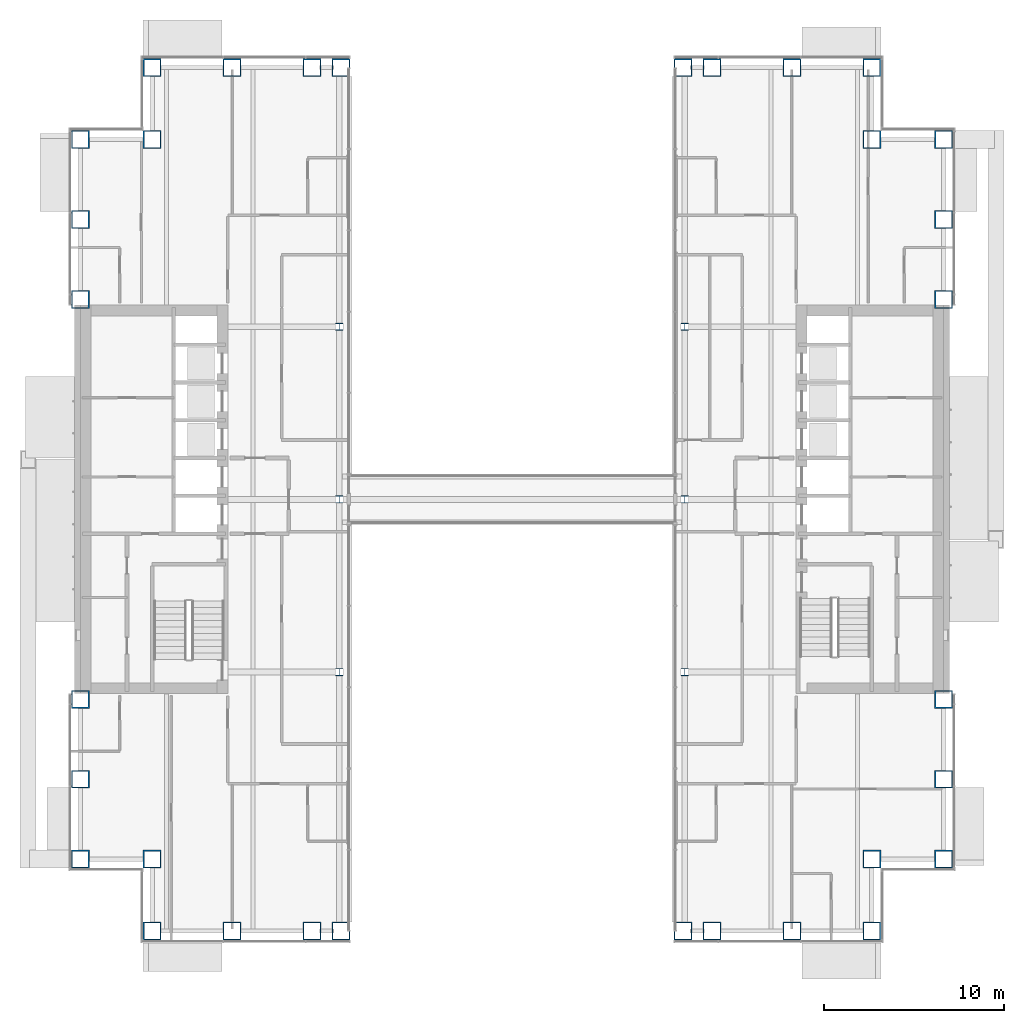
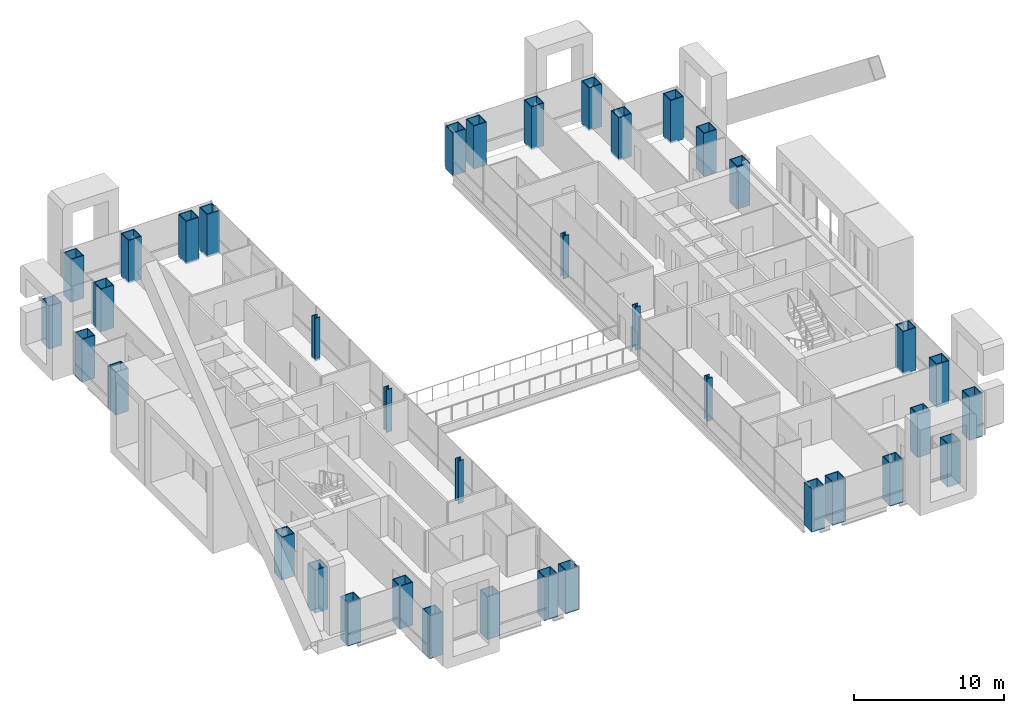
# One storey, part 1 of 26: 38 columns.
"""IFC4 building model written with IfcOpenShell, lengths in metres."""

import ifcopenshell
import ifcopenshell.guid

model = None  # the IFC model being written
_history = None  # IfcOwnerHistory: only IFC2X3 demands one
_inside = {}  # id of a spatial element -> (the spatial element, [elements in it])
_under = {}  # id of a project, library or spatial element -> (it, [spatial elements below it])
_declared = {}  # id of a project -> (the project, [libraries it declares])
_typed = {}  # id of a type object -> (the type object, [elements of that type])
_made_of = {}  # id of a material, layer set ... -> (it, [elements and type objects made of it])


def new_model(schema):
    """Start an empty IFC model of exactly this schema.

    Asked for "IFC4X3", IfcOpenShell would pick the latest addendum, in which some entities
    have other attributes; the version numbers below select the first issue.
    IFC2X3 requires an IfcOwnerHistory on every rooted entity: one is made here for all.
    """
    global model, _history
    if schema == "IFC4X3":
        model = ifcopenshell.file(schema_version=(4, 3, 0, 0))
    else:
        model = ifcopenshell.file(schema=schema)
    _inside.clear()
    _under.clear()
    _declared.clear()
    _typed.clear()
    _made_of.clear()
    _history = None
    if model.schema == "IFC2X3":
        org = make("IfcOrganization", Name="unknown")
        user = make(
            "IfcPersonAndOrganization",
            ThePerson=make("IfcPerson", FamilyName="unknown"),
            TheOrganization=org,
        )
        app = make(
            "IfcApplication",
            ApplicationDeveloper=org,
            Version="unknown",
            ApplicationFullName="unknown",
            ApplicationIdentifier="unknown",
        )
        _history = make(
            "IfcOwnerHistory",
            OwningUser=user,
            OwningApplication=app,
            ChangeAction="ADDED",
            CreationDate=0,
        )
    return model


def make(cls, **values):
    """One entity of the class cls with the attributes given. An attribute that is None is left unset."""
    return model.create_entity(
        cls, **{name: value for name, value in values.items() if value is not None}
    )


def rooted(cls, **values):
    """An entity with a GlobalId (a new one), such as an element, a storey or a relation."""
    return make(cls, GlobalId=ifcopenshell.guid.new(), OwnerHistory=_history, **values)


def si_unit(unit_type, name, prefix=None):
    """IfcSIUnit, for example si_unit("LENGTHUNIT", "METRE", prefix="MILLI")."""
    return make("IfcSIUnit", UnitType=unit_type, Prefix=prefix, Name=name)


def assignment(units):
    """IfcUnitAssignment: the units of a project."""
    return None if units is None else make("IfcUnitAssignment", Units=units)


def point(xyz):
    """IfcCartesianPoint."""
    return None if xyz is None else make("IfcCartesianPoint", Coordinates=xyz)


def direction(xyz):
    """IfcDirection."""
    return None if xyz is None else make("IfcDirection", DirectionRatios=xyz)


def frame(location, z_axis=None, x_axis=None):
    """IfcAxis2Placement3D, a coordinate frame: its origin and axes. An axis left out is left unset."""
    return make(
        "IfcAxis2Placement3D",
        Location=point(location),
        Axis=direction(z_axis),
        RefDirection=direction(x_axis),
    )


def frame_2d(location, x_axis=None):
    """IfcAxis2Placement2D, a coordinate frame in the plane: its origin and x axis."""
    return make(
        "IfcAxis2Placement2D", Location=point(location), RefDirection=direction(x_axis)
    )


def origin():
    """The frame at (0, 0, 0) with its axes left unset."""
    return frame((0.0, 0.0, 0.0))


def origin_2d():
    """The frame at (0, 0) in the plane with its x axis left unset."""
    return frame_2d((0.0, 0.0))


def place(relative_to, where):
    """IfcLocalPlacement: puts the frame where relative to a parent placement (None: the world)."""
    return make(
        "IfcLocalPlacement", PlacementRelTo=relative_to, RelativePlacement=where
    )


def context(
    kind, dimensions, precision=None, world=None, true_north=None, identifier=None
):
    """IfcGeometricRepresentationContext, for example the 3D "Model" context."""
    return make(
        "IfcGeometricRepresentationContext",
        ContextIdentifier=identifier,
        ContextType=kind,
        CoordinateSpaceDimension=dimensions,
        Precision=precision,
        WorldCoordinateSystem=world,
        TrueNorth=true_north,
    )


def subcontext(parent, identifier, kind, view, scale=None):
    """IfcGeometricRepresentationSubContext, for example "Body" below "Model"."""
    return make(
        "IfcGeometricRepresentationSubContext",
        ContextIdentifier=identifier,
        ContextType=kind,
        ParentContext=parent,
        TargetScale=scale,
        TargetView=view,
    )


def project(units=None, contexts=None):
    """IfcProject with its units and contexts."""
    return rooted(
        "IfcProject",
        Name="project",
        RepresentationContexts=contexts,
        UnitsInContext=assignment(units),
    )


def spatial(cls, under=None, at=None, **own):
    """A site, building, storey or space (cls), placed at a placement, below another one or the project."""
    s = rooted(cls, ObjectPlacement=at, **own)
    if under is not None:
        _under.setdefault(under.id(), (under, []))[1].append(s)
    return s


def profile(cls, at=None, kind="AREA", **sizes):
    """A parametric profile (cls). Its sizes go by their IFC names, for example OverallWidth=200.0."""
    return make(cls, ProfileType=kind, Position=at, **sizes)


def hollow_rectangle(**sizes):
    """IfcRectangleHollowProfileDef."""
    return profile("IfcRectangleHollowProfileDef", **sizes)


def i_section(**sizes):
    """IfcIShapeProfileDef."""
    return profile("IfcIShapeProfileDef", **sizes)


def extrude(swept, where, along, depth):
    """IfcExtrudedAreaSolid: the profile swept, set in the frame where, extruded along a direction by depth."""
    return make(
        "IfcExtrudedAreaSolid",
        SweptArea=swept,
        Position=where,
        ExtrudedDirection=direction(along),
        Depth=depth,
    )


def shape(context_of_items, identifier, shape_type, items):
    """IfcShapeRepresentation: the items that make up one representation, for example the "Body"."""
    return make(
        "IfcShapeRepresentation",
        ContextOfItems=context_of_items,
        RepresentationIdentifier=identifier,
        RepresentationType=shape_type,
        Items=items,
    )


def material(Name=None, Category=None):
    """IfcMaterial."""
    return make("IfcMaterial", Name=Name, Category=Category)


def material_profile(
    of_material, cross_section, Name=None, Category=None, Priority=None
):
    """IfcMaterialProfile: a cross section and its material."""
    return make(
        "IfcMaterialProfile",
        Name=Name,
        Material=of_material,
        Profile=cross_section,
        Priority=Priority,
        Category=Category,
    )


def profile_set(profiles, Name=None, composite=None):
    """IfcMaterialProfileSet."""
    return make(
        "IfcMaterialProfileSet",
        Name=Name,
        MaterialProfiles=profiles,
        CompositeProfile=composite,
    )


def made_of(thing, what):
    """Note that an element or type object is made of a material, layer set ...; save() writes the relation."""
    if what is not None:
        _made_of.setdefault(what.id(), (what, []))[1].append(thing)
    return thing


def type_object(cls, material=None, **own):
    """A type object (cls), such as IfcWallType, which elements share."""
    return made_of(rooted(cls, **own), material)


def element(
    cls,
    number,
    at=None,
    inside=None,
    cuts=None,
    type_object=None,
    material=None,
    context=None,
    identifier="Body",
    shape_type=None,
    held_by="IfcProductDefinitionShape",
    body=None,
    shapes=None,
    **own,
):
    """One element of the class cls, such as IfcWall. Its Tag is "e" and its number.

    at: its placement. inside: the storey or other place that contains it. cuts: it is an
    opening in that element (IfcRelVoidsElement). A single representation is given by context,
    identifier, shape_type and body (its items); several are given by shapes. held_by: the class
    of the entity that holds the representations. save() writes the other relations.
    """
    e = rooted(cls, Tag="e%d" % number, ObjectPlacement=at, **own)
    if body is not None:
        shapes = [shape(context, identifier, shape_type, body)]
    if shapes is not None:
        e.Representation = make(held_by, Representations=shapes)
    if inside is not None:
        _inside.setdefault(inside.id(), (inside, []))[1].append(e)
    if cuts is not None:
        rooted(
            "IfcRelVoidsElement", RelatingBuildingElement=cuts, RelatedOpeningElement=e
        )
    if type_object is not None:
        _typed.setdefault(type_object.id(), (type_object, []))[1].append(e)
    return made_of(e, material)


def aggregate(whole, parts):
    """IfcRelAggregates: a whole, such as a stair, and the parts it consists of."""
    return rooted("IfcRelAggregates", RelatingObject=whole, RelatedObjects=parts)


def save(model, path):
    """Write the relations noted so far, then the file.

    IfcRelAggregates (storeys below a building ...), IfcRelContainedInSpatialStructure (elements
    in a storey), IfcRelDefinesByType, IfcRelAssociatesMaterial and IfcRelDeclares: one each for
    every whole, place, type object, material and project.
    """
    for whole, parts in _under.values():
        aggregate(whole, parts)
    for where, things in _inside.values():
        rooted(
            "IfcRelContainedInSpatialStructure",
            RelatedElements=things,
            RelatingStructure=where,
        )
    for kind, things in _typed.values():
        rooted("IfcRelDefinesByType", RelatedObjects=things, RelatingType=kind)
    for what, things in _made_of.values():
        rooted("IfcRelAssociatesMaterial", RelatedObjects=things, RelatingMaterial=what)
    for by, libraries in _declared.values():
        rooted("IfcRelDeclares", RelatingContext=by, RelatedDefinitions=libraries)
    model.write(path)


model = new_model("IFC4")

# Units and contexts
model_context = context("Model", 3, precision=1e-05, world=origin(), true_north=direction((0.0, 1.0)))
body_context = subcontext(model_context, "Body", "Model", "MODEL_VIEW")
ifc_project = project(units=[si_unit("LENGTHUNIT", "METRE"), si_unit("AREAUNIT", "SQUARE_METRE"), si_unit("VOLUMEUNIT", "CUBIC_METRE"), si_unit("PLANEANGLEUNIT", "RADIAN"), si_unit("MASSUNIT", "GRAM", prefix="KILO")], contexts=[model_context])

# Site, building, storey
site_placement = place(None, origin())
site = spatial("IfcSite", under=ifc_project, at=site_placement, CompositionType="ELEMENT")
building_placement = place(site_placement, origin())
building = spatial("IfcBuilding", under=site, at=building_placement, Name="Cobrizo Arcos Hotel Tower", CompositionType="ELEMENT")
storey_placement = place(building_placement, frame((0.0, 0.0, 67.0)))
storey = spatial("IfcBuildingStorey", under=building, at=storey_placement, Name="L15", CompositionType="ELEMENT", Elevation=67.0)

# Columns
ifc_material_1 = material(Name="Steel ASTM A572 Grade 50", Category="steel")
ifc_material_profile_1 = material_profile(ifc_material_1, hollow_rectangle(XDim=1.0, YDim=1.0, WallThickness=0.06005859375, at=origin_2d()), Name="BOX 1000X1000X60")
ifc_profile_set_1 = profile_set([ifc_material_profile_1], Name="Steel ASTM A572 Grade 50")
column_type_1 = type_object("IfcColumnType", Name="BOX 1000X1000X60 column", PredefinedType="COLUMN", material=ifc_profile_set_1)
for number, where, z_axis, x_axis, name in (
    (1, (-20.0, 24.0, -0.14990234375), (0.0, 0.0, 1.0), (1.0, 0.0, 0.0), "Perimeter column C4, L15, no. 00"),
    (2, (-20.0, -24.0, -0.14990234375), (0.0, 0.0, 1.0), (1.0, 0.0, 0.0), "Perimeter column C4, L15, no. 01"),
    (3, (-15.555908203125, 24.0, -0.14990234375), (0.0, 0.0, 1.0), (1.0, 0.0, 0.0), "Perimeter column C4, L15, no. 02"),
    (4, (-15.555908203125, -24.0, -0.14990234375), (0.0, 0.0, 1.0), (1.0, 0.0, 0.0), "Perimeter column C4, L15, no. 03"),
    (5, (-11.111083984375, 24.0, -0.14990234375), (0.0, 0.0, 1.0), (1.0, 0.0, 0.0), "Perimeter column C4, L15, no. 04"),
    (6, (-11.111083984375, -24.0, -0.14990234375), (0.0, 0.0, 1.0), (1.0, 0.0, 0.0), "Perimeter column C4, L15, no. 05"),
    (7, (11.111083984375, 24.0, -0.14990234375), (0.0, 0.0, 1.0), (1.0, 0.0, 0.0), "Perimeter column C4, L15, no. 06"),
    (8, (11.111083984375, -24.0, -0.14990234375), (0.0, 0.0, 1.0), (1.0, 0.0, 0.0), "Perimeter column C4, L15, no. 07"),
    (9, (15.555908203125, 24.0, -0.14990234375), (0.0, 0.0, 1.0), (1.0, 0.0, 0.0), "Perimeter column C4, L15, no. 08"),
    (10, (15.555908203125, -24.0, -0.14990234375), (0.0, 0.0, 1.0), (1.0, 0.0, 0.0), "Perimeter column C4, L15, no. 09"),
    (11, (20.0, 24.0, -0.14990234375), (0.0, 0.0, 1.0), (1.0, 0.0, 0.0), "Perimeter column C4, L15, no. 10"),
    (12, (20.0, -24.0, -0.14990234375), (0.0, 0.0, 1.0), (1.0, 0.0, 0.0), "Perimeter column C4, L15, no. 11"),
    (13, (24.0, -20.0, -0.14990234375), (0.0, 0.0, 1.0), (1.0, 0.0, 0.0), "Perimeter column C4, L15, no. 12"),
    (14, (-24.0, -20.0, -0.14990234375), (0.0, 0.0, 1.0), (1.0, 0.0, 0.0), "Perimeter column C4, L15, no. 13"),
    (15, (24.0, -15.555908203125, -0.14990234375), (0.0, 0.0, 1.0), (1.0, 0.0, 0.0), "Perimeter column C4, L15, no. 14"),
    (16, (-24.0, -15.555908203125, -0.14990234375), (0.0, 0.0, 1.0), (1.0, 0.0, 0.0), "Perimeter column C4, L15, no. 15"),
    (17, (24.0, -11.111083984375, -0.14990234375), (0.0, 0.0, 1.0), (1.0, 0.0, 0.0), "Perimeter column C4, L15, no. 16"),
    (18, (-24.0, -11.111083984375, -0.14990234375), (0.0, 0.0, 1.0), (1.0, 0.0, 0.0), "Perimeter column C4, L15, no. 17"),
    (19, (24.0, 11.111083984375, -0.14990234375), (0.0, 0.0, 1.0), (1.0, 0.0, 0.0), "Perimeter column C4, L15, no. 18"),
    (20, (-24.0, 11.111083984375, -0.14990234375), (0.0, 0.0, 1.0), (1.0, 0.0, 0.0), "Perimeter column C4, L15, no. 19"),
    (21, (24.0, 15.555908203125, -0.14990234375), (0.0, 0.0, 1.0), (1.0, 0.0, 0.0), "Perimeter column C4, L15, no. 20"),
    (22, (-24.0, 15.555908203125, -0.14990234375), (0.0, 0.0, 1.0), (1.0, 0.0, 0.0), "Perimeter column C4, L15, no. 21"),
    (23, (24.0, 20.0, -0.14990234375), (0.0, 0.0, 1.0), (1.0, 0.0, 0.0), "Perimeter column C4, L15, no. 22"),
    (24, (-24.0, 20.0, -0.14990234375), (0.0, 0.0, 1.0), (1.0, 0.0, 0.0), "Perimeter column C4, L15, no. 23"),
    (25, (-20.0, -20.0, -0.14990234375), (0.0, 0.0, 1.0), (1.0, 0.0, 0.0), "Perimeter column C4, L15, no. 24"),
    (26, (-20.0, 20.0, -0.14990234375), (0.0, 0.0, 1.0), (1.0, 0.0, 0.0), "Perimeter column C4, L15, no. 25"),
    (27, (20.0, -20.0, -0.14990234375), (0.0, 0.0, 1.0), (1.0, 0.0, 0.0), "Perimeter column C4, L15, no. 26"),
    (28, (20.0, 20.0, -0.14990234375), (0.0, 0.0, 1.0), (1.0, 0.0, 0.0), "Perimeter column C4, L15, no. 27"),
    (29, (-9.5, 24.0, -0.14990234375), (0.0, 0.0, 1.0), (1.0, 0.0, 0.0), "Perimeter column C4, L15, no. 28"),
    (30, (-9.5, -24.0, -0.14990234375), (0.0, 0.0, 1.0), (1.0, 0.0, 0.0), "Perimeter column C4, L15, no. 29"),
    (31, (9.5, 24.0, -0.14990234375), (0.0, 0.0, 1.0), (1.0, 0.0, 0.0), "Perimeter column C4, L15, no. 30"),
    (32, (9.5, -24.0, -0.14990234375), (0.0, 0.0, 1.0), (1.0, 0.0, 0.0), "Perimeter column C4, L15, no. 31"),
):
    element("IfcColumn", number, at=place(storey_placement, frame(where, z_axis=z_axis, x_axis=x_axis)), inside=storey, type_object=column_type_1, Name=name, PredefinedType="COLUMN", context=body_context, shape_type="SweptSolid", body=[
        extrude(hollow_rectangle(XDim=1.0, YDim=1.0, WallThickness=0.06005859375, at=origin_2d()), origin(), (0.0, 0.0, 1.0), 3.5),
    ])
ifc_material_2 = material(Name="Steel ASTM A992 Grade 50", Category="steel")
ifc_material_profile_2 = material_profile(ifc_material_2, i_section(OverallWidth=0.408935546875, OverallDepth=0.42431640625, WebThickness=0.03271484375, FlangeThickness=0.052490234375, at=origin_2d()), Name="W14X283")
ifc_profile_set_2 = profile_set([ifc_material_profile_2], Name="Steel ASTM A992 Grade 50")
column_type_2 = type_object("IfcColumnType", Name="W14X283 interior column", PredefinedType="COLUMN", material=ifc_profile_set_2)
for number, where, z_axis, x_axis, name in (
    (33, (-9.60009765625, -9.60009765625, -0.14990234375), (0.0, 0.0, 1.0), (1.0, 0.0, 0.0), "Interior column C5, L15, no. 00"),
    (34, (-9.60009765625, 0.0, -0.14990234375), (0.0, 0.0, 1.0), (1.0, 0.0, 0.0), "Interior column C5, L15, no. 01"),
    (35, (-9.60009765625, 9.60009765625, -0.14990234375), (0.0, 0.0, 1.0), (1.0, 0.0, 0.0), "Interior column C5, L15, no. 02"),
    (36, (9.60009765625, -9.60009765625, -0.14990234375), (0.0, 0.0, 1.0), (1.0, 0.0, 0.0), "Interior column C5, L15, no. 03"),
    (37, (9.60009765625, 0.0, -0.14990234375), (0.0, 0.0, 1.0), (1.0, 0.0, 0.0), "Interior column C5, L15, no. 04"),
    (38, (9.60009765625, 9.60009765625, -0.14990234375), (0.0, 0.0, 1.0), (1.0, 0.0, 0.0), "Interior column C5, L15, no. 05"),
):
    element("IfcColumn", number, at=place(storey_placement, frame(where, z_axis=z_axis, x_axis=x_axis)), inside=storey, type_object=column_type_2, Name=name, PredefinedType="COLUMN", context=body_context, shape_type="SweptSolid", body=[
        extrude(i_section(OverallWidth=0.408935546875, OverallDepth=0.42431640625, WebThickness=0.03271484375, FlangeThickness=0.052490234375, at=origin_2d()), origin(), (0.0, 0.0, 1.0), 3.5),
    ])

save(model, "model.ifc")
